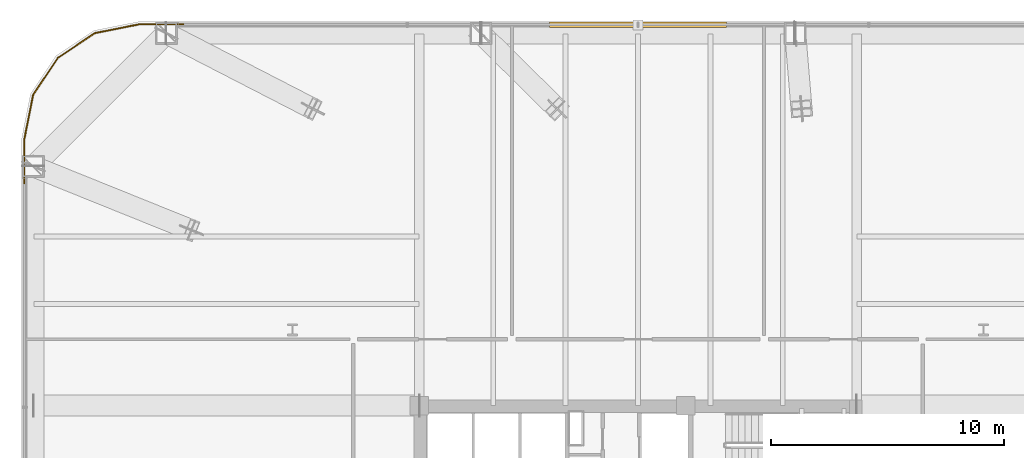
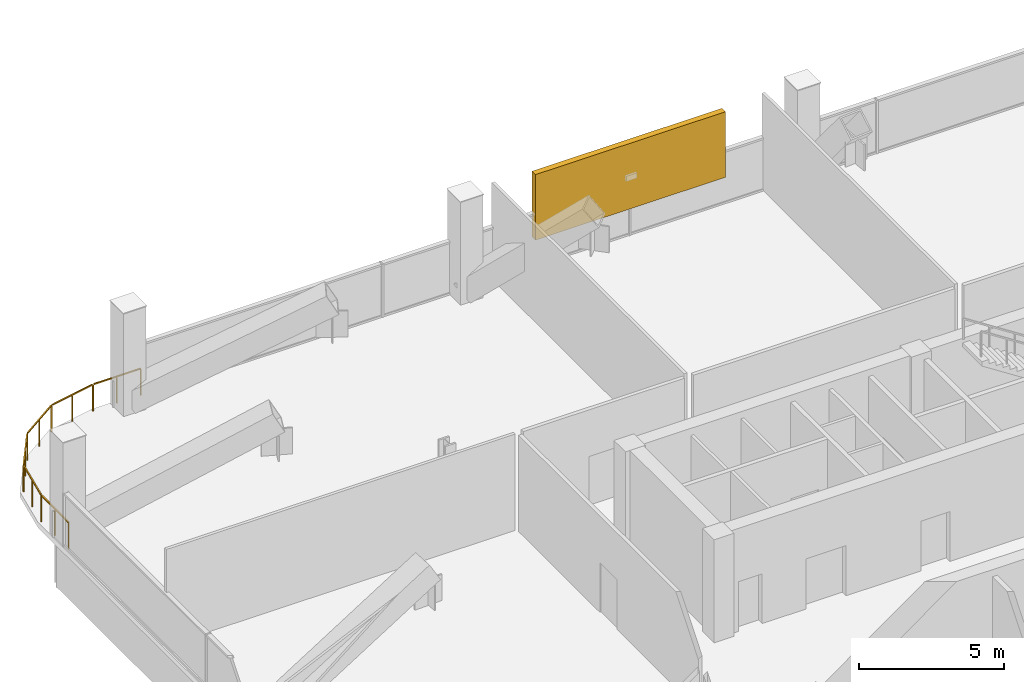
# One storey, part 37 of 38: 1 railing, 1 shading device.
"""IFC4 building model written with IfcOpenShell, lengths in metres."""

import ifcopenshell
import ifcopenshell.guid

model = None  # the IFC model being written
_history = None  # IfcOwnerHistory: only IFC2X3 demands one
_inside = {}  # id of a spatial element -> (the spatial element, [elements in it])
_under = {}  # id of a project, library or spatial element -> (it, [spatial elements below it])
_declared = {}  # id of a project -> (the project, [libraries it declares])
_typed = {}  # id of a type object -> (the type object, [elements of that type])
_made_of = {}  # id of a material, layer set ... -> (it, [elements and type objects made of it])


def new_model(schema):
    """Start an empty IFC model of exactly this schema.

    Asked for "IFC4X3", IfcOpenShell would pick the latest addendum, in which some entities
    have other attributes; the version numbers below select the first issue.
    IFC2X3 requires an IfcOwnerHistory on every rooted entity: one is made here for all.
    """
    global model, _history
    if schema == "IFC4X3":
        model = ifcopenshell.file(schema_version=(4, 3, 0, 0))
    else:
        model = ifcopenshell.file(schema=schema)
    _inside.clear()
    _under.clear()
    _declared.clear()
    _typed.clear()
    _made_of.clear()
    _history = None
    if model.schema == "IFC2X3":
        org = make("IfcOrganization", Name="unknown")
        user = make(
            "IfcPersonAndOrganization",
            ThePerson=make("IfcPerson", FamilyName="unknown"),
            TheOrganization=org,
        )
        app = make(
            "IfcApplication",
            ApplicationDeveloper=org,
            Version="unknown",
            ApplicationFullName="unknown",
            ApplicationIdentifier="unknown",
        )
        _history = make(
            "IfcOwnerHistory",
            OwningUser=user,
            OwningApplication=app,
            ChangeAction="ADDED",
            CreationDate=0,
        )
    return model


def make(cls, **values):
    """One entity of the class cls with the attributes given. An attribute that is None is left unset."""
    return model.create_entity(
        cls, **{name: value for name, value in values.items() if value is not None}
    )


def rooted(cls, **values):
    """An entity with a GlobalId (a new one), such as an element, a storey or a relation."""
    return make(cls, GlobalId=ifcopenshell.guid.new(), OwnerHistory=_history, **values)


def si_unit(unit_type, name, prefix=None):
    """IfcSIUnit, for example si_unit("LENGTHUNIT", "METRE", prefix="MILLI")."""
    return make("IfcSIUnit", UnitType=unit_type, Prefix=prefix, Name=name)


def assignment(units):
    """IfcUnitAssignment: the units of a project."""
    return None if units is None else make("IfcUnitAssignment", Units=units)


def point(xyz):
    """IfcCartesianPoint."""
    return None if xyz is None else make("IfcCartesianPoint", Coordinates=xyz)


def direction(xyz):
    """IfcDirection."""
    return None if xyz is None else make("IfcDirection", DirectionRatios=xyz)


def frame(location, z_axis=None, x_axis=None):
    """IfcAxis2Placement3D, a coordinate frame: its origin and axes. An axis left out is left unset."""
    return make(
        "IfcAxis2Placement3D",
        Location=point(location),
        Axis=direction(z_axis),
        RefDirection=direction(x_axis),
    )


def frame_2d(location, x_axis=None):
    """IfcAxis2Placement2D, a coordinate frame in the plane: its origin and x axis."""
    return make(
        "IfcAxis2Placement2D", Location=point(location), RefDirection=direction(x_axis)
    )


def origin():
    """The frame at (0, 0, 0) with its axes left unset."""
    return frame((0.0, 0.0, 0.0))


def origin_2d():
    """The frame at (0, 0) in the plane with its x axis left unset."""
    return frame_2d((0.0, 0.0))


def place(relative_to, where):
    """IfcLocalPlacement: puts the frame where relative to a parent placement (None: the world)."""
    return make(
        "IfcLocalPlacement", PlacementRelTo=relative_to, RelativePlacement=where
    )


def context(
    kind, dimensions, precision=None, world=None, true_north=None, identifier=None
):
    """IfcGeometricRepresentationContext, for example the 3D "Model" context."""
    return make(
        "IfcGeometricRepresentationContext",
        ContextIdentifier=identifier,
        ContextType=kind,
        CoordinateSpaceDimension=dimensions,
        Precision=precision,
        WorldCoordinateSystem=world,
        TrueNorth=true_north,
    )


def subcontext(parent, identifier, kind, view, scale=None):
    """IfcGeometricRepresentationSubContext, for example "Body" below "Model"."""
    return make(
        "IfcGeometricRepresentationSubContext",
        ContextIdentifier=identifier,
        ContextType=kind,
        ParentContext=parent,
        TargetScale=scale,
        TargetView=view,
    )


def project(units=None, contexts=None):
    """IfcProject with its units and contexts."""
    return rooted(
        "IfcProject",
        Name="project",
        RepresentationContexts=contexts,
        UnitsInContext=assignment(units),
    )


def spatial(cls, under=None, at=None, **own):
    """A site, building, storey or space (cls), placed at a placement, below another one or the project."""
    s = rooted(cls, ObjectPlacement=at, **own)
    if under is not None:
        _under.setdefault(under.id(), (under, []))[1].append(s)
    return s


def profile(cls, at=None, kind="AREA", **sizes):
    """A parametric profile (cls). Its sizes go by their IFC names, for example OverallWidth=200.0."""
    return make(cls, ProfileType=kind, Position=at, **sizes)


def rectangle(**sizes):
    """IfcRectangleProfileDef."""
    return profile("IfcRectangleProfileDef", **sizes)


def extrude(swept, where, along, depth):
    """IfcExtrudedAreaSolid: the profile swept, set in the frame where, extruded along a direction by depth."""
    return make(
        "IfcExtrudedAreaSolid",
        SweptArea=swept,
        Position=where,
        ExtrudedDirection=direction(along),
        Depth=depth,
    )


def shape(context_of_items, identifier, shape_type, items):
    """IfcShapeRepresentation: the items that make up one representation, for example the "Body"."""
    return make(
        "IfcShapeRepresentation",
        ContextOfItems=context_of_items,
        RepresentationIdentifier=identifier,
        RepresentationType=shape_type,
        Items=items,
    )


def material(Name=None, Category=None):
    """IfcMaterial."""
    return make("IfcMaterial", Name=Name, Category=Category)


def made_of(thing, what):
    """Note that an element or type object is made of a material, layer set ...; save() writes the relation."""
    if what is not None:
        _made_of.setdefault(what.id(), (what, []))[1].append(thing)
    return thing


def type_object(cls, material=None, **own):
    """A type object (cls), such as IfcWallType, which elements share."""
    return made_of(rooted(cls, **own), material)


def element(
    cls,
    number,
    at=None,
    inside=None,
    cuts=None,
    type_object=None,
    material=None,
    context=None,
    identifier="Body",
    shape_type=None,
    held_by="IfcProductDefinitionShape",
    body=None,
    shapes=None,
    **own,
):
    """One element of the class cls, such as IfcWall. Its Tag is "e" and its number.

    at: its placement. inside: the storey or other place that contains it. cuts: it is an
    opening in that element (IfcRelVoidsElement). A single representation is given by context,
    identifier, shape_type and body (its items); several are given by shapes. held_by: the class
    of the entity that holds the representations. save() writes the other relations.
    """
    e = rooted(cls, Tag="e%d" % number, ObjectPlacement=at, **own)
    if body is not None:
        shapes = [shape(context, identifier, shape_type, body)]
    if shapes is not None:
        e.Representation = make(held_by, Representations=shapes)
    if inside is not None:
        _inside.setdefault(inside.id(), (inside, []))[1].append(e)
    if cuts is not None:
        rooted(
            "IfcRelVoidsElement", RelatingBuildingElement=cuts, RelatedOpeningElement=e
        )
    if type_object is not None:
        _typed.setdefault(type_object.id(), (type_object, []))[1].append(e)
    return made_of(e, material)


def aggregate(whole, parts):
    """IfcRelAggregates: a whole, such as a stair, and the parts it consists of."""
    return rooted("IfcRelAggregates", RelatingObject=whole, RelatedObjects=parts)


def save(model, path):
    """Write the relations noted so far, then the file.

    IfcRelAggregates (storeys below a building ...), IfcRelContainedInSpatialStructure (elements
    in a storey), IfcRelDefinesByType, IfcRelAssociatesMaterial and IfcRelDeclares: one each for
    every whole, place, type object, material and project.
    """
    for whole, parts in _under.values():
        aggregate(whole, parts)
    for where, things in _inside.values():
        rooted(
            "IfcRelContainedInSpatialStructure",
            RelatedElements=things,
            RelatingStructure=where,
        )
    for kind, things in _typed.values():
        rooted("IfcRelDefinesByType", RelatedObjects=things, RelatingType=kind)
    for what, things in _made_of.values():
        rooted("IfcRelAssociatesMaterial", RelatedObjects=things, RelatingMaterial=what)
    for by, libraries in _declared.values():
        rooted("IfcRelDeclares", RelatingContext=by, RelatedDefinitions=libraries)
    model.write(path)


model = new_model("IFC4")

# Units and contexts
model_context = context("Model", 3, precision=1e-05, world=origin(), true_north=direction((0.0, 1.0)))
body_context = subcontext(model_context, "Body", "Model", "MODEL_VIEW")
ifc_project = project(units=[si_unit("LENGTHUNIT", "METRE"), si_unit("AREAUNIT", "SQUARE_METRE"), si_unit("VOLUMEUNIT", "CUBIC_METRE"), si_unit("PLANEANGLEUNIT", "RADIAN"), si_unit("MASSUNIT", "GRAM", prefix="KILO")], contexts=[model_context])

# Site, building, storey
site_placement = place(None, origin())
site = spatial("IfcSite", under=ifc_project, at=site_placement, CompositionType="ELEMENT")
building_placement = place(site_placement, origin())
building = spatial("IfcBuilding", under=site, at=building_placement, Name="Qhalaya Broadcast Tower", CompositionType="ELEMENT")
storey_placement = place(building_placement, frame((0.0, 0.0, 53.550048828125)))
storey = spatial("IfcBuildingStorey", under=building, at=storey_placement, Name="L15", CompositionType="ELEMENT", Elevation=53.550048828125)

# Railing
ifc_material_1 = material(Name="Powder-Coated Galvanised Steel", Category="steel")
railing_type = type_object("IfcRailingType", Name="Terrace, Sky-Pool & Lookout Glass Balustrade 1150", PredefinedType="BALUSTRADE", material=ifc_material_1)
railing_placement = place(storey_placement, frame((-26.280029296875, 19.48193359375, 0.0)))
element("IfcRailing", 1, at=railing_placement, inside=storey, type_object=railing_type, Name="L15 Rounded Corner Perimeter Guard 03", PredefinedType="BALUSTRADE", context=body_context, shape_type="SweptSolid", body=[
    extrude(rectangle(XDim=0.048095703125, YDim=0.048095703125, at=origin_2d()), frame((0.0, 0.0, 1.1259765625), z_axis=(0.0, 1.0, 0.0), x_axis=(-1.0, 0.0, 0.0)), (0.0, 0.0, 1.0), 1.87744140625),
    extrude(rectangle(XDim=0.048095703125, YDim=0.048095703125, at=origin_2d()), frame((0.005615234375, 1.9345703125, 1.1259765625), z_axis=(0.195037378397, 0.980795810058, 0.0), x_axis=(-0.980795810058, 0.195037378397, 0.0)), (0.0, 0.0, 1.0), 1.857421875),
    extrude(rectangle(XDim=0.048095703125, YDim=0.048095703125, at=origin_2d()), frame((0.3896484375, 3.80859375, 1.1259765625), z_axis=(0.555558355728, 0.831477548332, 0.0), x_axis=(-0.831477548332, 0.555558355728, 0.0)), (0.0, 0.0, 1.0), 1.845458984375),
    extrude(rectangle(XDim=0.048095703125, YDim=0.048095703125, at=origin_2d()), frame((1.454833984375, 5.38330078125, 1.1259765625), z_axis=(0.831477548332, 0.555558355728, 0.0), x_axis=(-0.555558355728, 0.831477548332, 0.0)), (0.0, 0.0, 1.0), 1.845458984375),
    extrude(rectangle(XDim=0.048095703125, YDim=0.048095703125, at=origin_2d()), frame((3.041748046875, 6.43017578125, 1.1259765625), z_axis=(0.980795810058, 0.195037378397, 0.0), x_axis=(-0.195037378397, 0.980795810058, 0.0)), (0.0, 0.0, 1.0), 1.857421875),
    extrude(rectangle(XDim=0.048095703125, YDim=0.048095703125, at=origin_2d()), frame((4.920654296875, 6.798095703125, 1.1259765625), z_axis=(1.0, 0.0, 0.0), x_axis=(0.0, 1.0, 0.0)), (0.0, 0.0, 1.0), 1.87744140625),
    extrude(rectangle(XDim=0.0419921875, YDim=0.0419921875, at=origin_2d()), origin(), (0.0, 0.0, 1.0), 1.099853515625),
    extrude(rectangle(XDim=0.0419921875, YDim=0.0419921875, at=origin_2d()), frame((0.0, 0.953125, 0.0)), (0.0, 0.0, 1.0), 1.099853515625),
    extrude(rectangle(XDim=0.0419921875, YDim=0.0419921875, at=origin_2d()), frame((0.0, 1.90625, 0.0)), (0.0, 0.0, 1.0), 1.099853515625),
    extrude(rectangle(XDim=0.0419921875, YDim=0.0419921875, at=origin_2d()), frame((0.186767578125, 2.845458984375, 0.0)), (0.0, 0.0, 1.0), 1.099853515625),
    extrude(rectangle(XDim=0.0419921875, YDim=0.0419921875, at=origin_2d()), frame((0.37353515625, 3.78466796875, 0.0)), (0.0, 0.0, 1.0), 1.099853515625),
    extrude(rectangle(XDim=0.0419921875, YDim=0.0419921875, at=origin_2d()), frame((0.90234375, 4.575927734375, 0.0)), (0.0, 0.0, 1.0), 1.099853515625),
    extrude(rectangle(XDim=0.0419921875, YDim=0.0419921875, at=origin_2d()), frame((1.430908203125, 5.3671875, 0.0)), (0.0, 0.0, 1.0), 1.099853515625),
    extrude(rectangle(XDim=0.0419921875, YDim=0.0419921875, at=origin_2d()), frame((2.22216796875, 5.89599609375, 0.0)), (0.0, 0.0, 1.0), 1.099853515625),
    extrude(rectangle(XDim=0.0419921875, YDim=0.0419921875, at=origin_2d()), frame((3.013427734375, 6.424560546875, 0.0)), (0.0, 0.0, 1.0), 1.099853515625),
    extrude(rectangle(XDim=0.0419921875, YDim=0.0419921875, at=origin_2d()), frame((3.95263671875, 6.611328125, 0.0)), (0.0, 0.0, 1.0), 1.099853515625),
    extrude(rectangle(XDim=0.0419921875, YDim=0.0419921875, at=origin_2d()), frame((4.891845703125, 6.798095703125, 0.0)), (0.0, 0.0, 1.0), 1.099853515625),
    extrude(rectangle(XDim=0.0419921875, YDim=0.0419921875, at=origin_2d()), frame((5.844970703125, 6.798095703125, 0.0)), (0.0, 0.0, 1.0), 1.099853515625),
    extrude(rectangle(XDim=0.0419921875, YDim=0.0419921875, at=origin_2d()), frame((6.798095703125, 6.798095703125, 0.0)), (0.0, 0.0, 1.0), 1.099853515625),
])

# Shading device
ifc_material_2 = material(Name="Fired Architectural Terracotta", Category="masonry")
shading_device_type = type_object("IfcShadingDeviceType", Name="Terracotta Baguette Solar Screen Assembly TBS-01", PredefinedType="USERDEFINED", material=ifc_material_2)
shading_device_placement = place(storey_placement, frame((0.0, 26.260009765625, 1.139404296875), z_axis=(0.0, 0.0, 1.0), x_axis=(-1.0, 0.0, 0.0)))
element("IfcShadingDevice", 2, at=shading_device_placement, inside=storey, type_object=shading_device_type, Name="L15 Fired Terracotta Baguette Screen N", ObjectType="BAGUETTE", PredefinedType="USERDEFINED", context=body_context, shape_type="SweptSolid", body=[
    extrude(rectangle(XDim=7.60009765625, YDim=0.239990234375, at=origin_2d()), origin(), (0.0, 0.0, 1.0), 2.76806640625),
])

save(model, "model.ifc")
